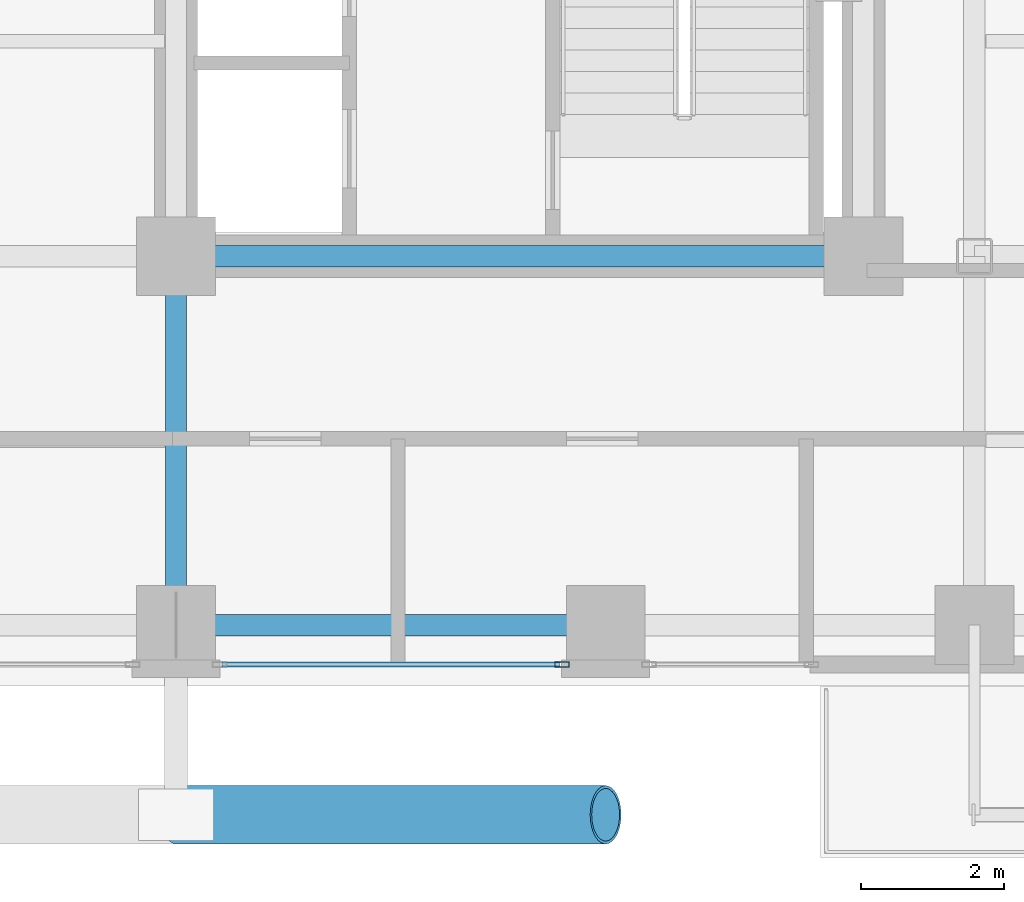
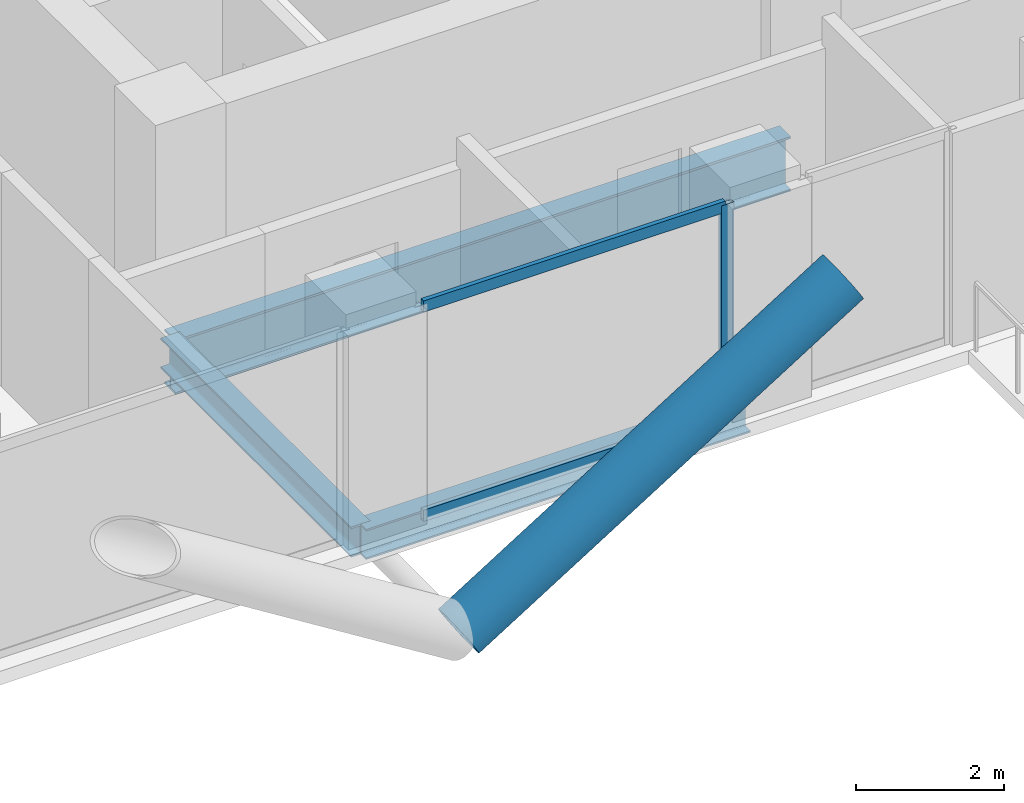
# One storey, part 5 of 28: 4 members, 3 beams, 1 element without a shape of its own.
"""IFC4 building model written with IfcOpenShell, lengths in metres."""

from ifc_helpers import new_model, si_unit, direction, frame, origin, origin_2d, place, context, subcontext, project, spatial, hollow_rectangle, hollow_circle, i_section, extrude, material, layer, layer_set, material_profile, profile_set, type_object, element, aggregate, save


model = new_model("IFC4")

# Units and contexts
model_context = context("Model", 3, precision=1e-05, world=origin(), true_north=direction((0.0, 1.0)))
body_context = subcontext(model_context, "Body", "Model", "MODEL_VIEW")
ifc_project = project(units=[si_unit("LENGTHUNIT", "METRE"), si_unit("AREAUNIT", "SQUARE_METRE"), si_unit("VOLUMEUNIT", "CUBIC_METRE"), si_unit("PLANEANGLEUNIT", "RADIAN"), si_unit("MASSUNIT", "GRAM", prefix="KILO"), si_unit("THERMODYNAMICTEMPERATUREUNIT", "KELVIN"), si_unit("POWERUNIT", "WATT")], contexts=[model_context])

# Site, building, storey
site_placement = place(None, origin())
site = spatial("IfcSite", under=ifc_project, at=site_placement, CompositionType="ELEMENT")
building_placement = place(site_placement, origin())
building = spatial("IfcBuilding", under=site, at=building_placement, Name="Svarakhadi Broadcast Tower", CompositionType="ELEMENT")
storey_placement = place(building_placement, frame((0.0, 0.0, 123.14990234375)))
storey = spatial("IfcBuildingStorey", under=building, at=storey_placement, Name="L29", CompositionType="ELEMENT", Elevation=123.14990234375)

# Curtain wall, members
ifc_material_1 = material(Name="Anodised Bronze Aluminium AA 6063-T6", Category="aluminium")
ifc_layer = layer(ifc_material_1, 0.199951171875)
ifc_layer_set = layer_set([ifc_layer], Name="Anodised Bronze Aluminium AA 6063-T6")
curtain_wall_type = type_object("IfcCurtainWallType", Name="CW_Sys_03", PredefinedType="NOTDEFINED", material=ifc_layer_set)
curtain_wall_placement = place(storey_placement, origin())
curtain_wall = element("IfcCurtainWall", 1, at=curtain_wall_placement, inside=storey, type_object=curtain_wall_type, Name="L29 South Curtain Wall 17 Bay 2", PredefinedType="NOTDEFINED")
ifc_material_profile_1 = material_profile(ifc_material_1, hollow_rectangle(XDim=0.074951171875, YDim=0.199951171875, WallThickness=0.005615234375, at=origin_2d()), Name="ALU MULLION 200x75x6")
ifc_profile_set_1 = profile_set([ifc_material_profile_1], Name="Anodised Bronze Aluminium AA 6063-T6")
member_type_1 = type_object("IfcMemberType", Name="CW_Sys_03_Mul", PredefinedType="MULLION", material=ifc_profile_set_1)
member_1_placement = place(storey_placement, frame((29.392578125, 0.300048828125, 0.0), z_axis=(0.0, 0.0, 1.0), x_axis=(0.0, -1.0, 0.0)))
member_1 = element("IfcMember", 2, at=member_1_placement, type_object=member_type_1, Name="CW-03 mullion 1", PredefinedType="MULLION", context=body_context, shape_type="SweptSolid", body=[
    extrude(hollow_rectangle(XDim=0.074951171875, YDim=0.199951171875, WallThickness=0.005615234375, at=origin_2d()), origin(), (0.0, 0.0, 1.0), 3.525146484375),
])
ifc_material_profile_2 = material_profile(ifc_material_1, hollow_rectangle(XDim=0.070068359375, YDim=0.18505859375, WallThickness=0.0048828125, at=origin_2d()), Name="ALU TRANSOM 185x70x5")
ifc_profile_set_2 = profile_set([ifc_material_profile_2], Name="Anodised Bronze Aluminium AA 6063-T6")
member_type_2 = type_object("IfcMemberType", Name="CW_Sys_03_Trn", PredefinedType="USERDEFINED", material=ifc_profile_set_2)
member_2_placement = place(storey_placement, frame((29.35498046875, 0.300048828125, 0.03515625), z_axis=(-1.0, 0.0, 0.0), x_axis=(0.0, -1.0, 0.0)))
member_2 = element("IfcMember", 3, at=member_2_placement, type_object=member_type_2, Name="CW-03 transom 1.1", ObjectType="TRANSOM", PredefinedType="USERDEFINED", context=body_context, shape_type="SweptSolid", body=[
    extrude(hollow_rectangle(XDim=0.070068359375, YDim=0.18505859375, WallThickness=0.0048828125, at=origin_2d()), origin(), (0.0, 0.0, 1.0), 4.7099609375),
])
member_3_placement = place(storey_placement, frame((29.35498046875, 0.300048828125, 3.489990234375), z_axis=(-1.0, 0.0, 0.0), x_axis=(0.0, -1.0, 0.0)))
member_3 = element("IfcMember", 4, at=member_3_placement, type_object=member_type_2, Name="CW-03 transom 1.2", ObjectType="TRANSOM", PredefinedType="USERDEFINED", context=body_context, shape_type="SweptSolid", body=[
    extrude(hollow_rectangle(XDim=0.070068359375, YDim=0.18505859375, WallThickness=0.0048828125, at=origin_2d()), origin(), (0.0, 0.0, 1.0), 4.7099609375),
])
aggregate(curtain_wall, [member_1, member_2, member_3])

# Member
ifc_material_2 = material(Name="Steel S460ML (IS 2062 E450BR)", Category="steel")
ifc_material_profile_3 = material_profile(ifc_material_2, hollow_circle(Radius=0.406494140625, WallThickness=0.0400390625, at=origin_2d()), Name="CHS 813x40")
ifc_profile_set_3 = profile_set([ifc_material_profile_3], Name="Steel S460ML (IS 2062 E450BR)")
member_type_3 = type_object("IfcMemberType", Name="Exo_Brace_CHS813", PredefinedType="BRACE", material=ifc_profile_set_3)
member_4_placement = place(storey_placement, frame((24.0, -1.800048828125, -0.386962890625), z_axis=(0.847998304005, 0.0, 0.529998940003), x_axis=(0.0, 1.0, 0.0)))
element("IfcMember", 5, at=member_4_placement, inside=storey, type_object=member_type_3, Name="L29 Exposed Bronze Exoskeleton Diagonal S04", PredefinedType="BRACE", context=body_context, shape_type="SweptSolid", body=[
    extrude(hollow_circle(Radius=0.406494140625, WallThickness=0.0400390625, at=origin_2d()), origin(), (0.0, 0.0, 1.0), 7.075439453125),
])

# Beams
ifc_material_3 = material(Name="Steel S355J2 (IS 2062 E350C)", Category="steel")
ifc_material_profile_4 = material_profile(ifc_material_3, i_section(OverallWidth=0.300048828125, OverallDepth=0.5, WebThickness=0.014404296875, FlangeThickness=0.028076171875, FilletRadius=0.027099609375, at=origin_2d()), Name="WPB 500x300x187")
ifc_profile_set_4 = profile_set([ifc_material_profile_4], Name="Steel S355J2 (IS 2062 E350C)")
beam_type_1 = type_object("IfcBeamType", Name="Girder_WPB500", PredefinedType="USERDEFINED", material=ifc_profile_set_4)
beam_1_placement = place(storey_placement, frame((24.0, 0.85009765625, -0.474853515625), z_axis=(1.0, 0.0, 0.0), x_axis=(0.0, 1.0, 0.0)))
element("IfcBeam", 6, at=beam_1_placement, inside=storey, type_object=beam_type_1, Name="L29 Primary E-W Girder G007", ObjectType="GIRDER", PredefinedType="USERDEFINED", context=body_context, shape_type="SweptSolid", body=[
    extrude(i_section(OverallWidth=0.300048828125, OverallDepth=0.5, WebThickness=0.014404296875, FlangeThickness=0.028076171875, FilletRadius=0.027099609375, at=origin_2d()), origin(), (0.0, 0.0, 1.0), 6.0),
])
beam_2_placement = place(storey_placement, frame((24.0, 0.85009765625, -0.474853515625), z_axis=(0.0, 1.0, 0.0), x_axis=(-1.0, 0.0, 0.0)))
element("IfcBeam", 7, at=beam_2_placement, inside=storey, type_object=beam_type_1, Name="L29 Primary N-S Girder G062", ObjectType="GIRDER", PredefinedType="USERDEFINED", context=body_context, shape_type="SweptSolid", body=[
    extrude(i_section(OverallWidth=0.300048828125, OverallDepth=0.5, WebThickness=0.014404296875, FlangeThickness=0.028076171875, FilletRadius=0.027099609375, at=origin_2d()), origin(), (0.0, 0.0, 1.0), 5.14990234375),
])
ifc_material_profile_5 = material_profile(ifc_material_2, i_section(OverallWidth=0.300048828125, OverallDepth=0.89990234375, WebThickness=0.0185546875, FlangeThickness=0.034912109375, FilletRadius=0.030029296875, at=origin_2d()), Name="WPB 900x300x291")
ifc_profile_set_5 = profile_set([ifc_material_profile_5], Name="Steel S460ML (IS 2062 E450BR)")
beam_type_2 = type_object("IfcBeamType", Name="Girder_WPB900", PredefinedType="USERDEFINED", material=ifc_profile_set_5)
beam_3_placement = place(storey_placement, frame((24.0, 6.0, -0.6748046875), z_axis=(1.0, 0.0, 0.0), x_axis=(0.0, 1.0, 0.0)))
element("IfcBeam", 8, at=beam_3_placement, inside=storey, type_object=beam_type_2, Name="L29 Primary E-W Girder G014", ObjectType="GIRDER", PredefinedType="USERDEFINED", context=body_context, shape_type="SweptSolid", body=[
    extrude(i_section(OverallWidth=0.300048828125, OverallDepth=0.89990234375, WebThickness=0.0185546875, FlangeThickness=0.034912109375, FilletRadius=0.030029296875, at=origin_2d()), origin(), (0.0, 0.0, 1.0), 9.60009765625),
])

save(model, "model.ifc")
